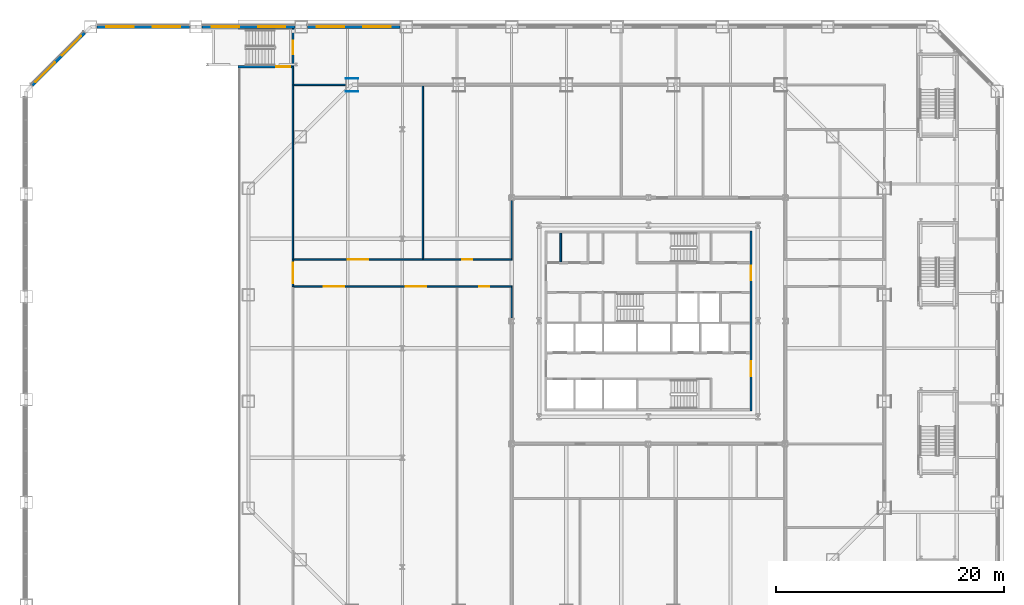
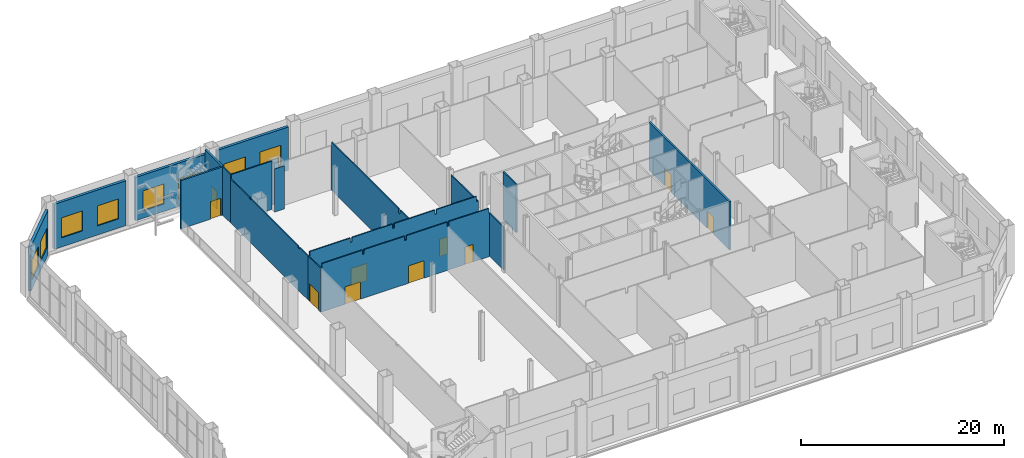
# One storey, part 18 of 31: 19 walls, 10 doors, 8 windows, 18 openings.
"""IFC4 building model written with IfcOpenShell, lengths in metres."""

from ifc_helpers import new_model, si_unit, direction, frame, frame_2d, origin, place, context, subcontext, project, spatial, polyline, rectangle, outline, extrude, material, layer, layer_set, type_object, element, fill, save


model = new_model("IFC4")

# Units and contexts
model_context = context("Model", 3, precision=1e-05, world=origin(), true_north=direction((0.0, 1.0)))
body_context = subcontext(model_context, "Body", "Model", "MODEL_VIEW")
ifc_project = project(units=[si_unit("LENGTHUNIT", "METRE"), si_unit("AREAUNIT", "SQUARE_METRE"), si_unit("VOLUMEUNIT", "CUBIC_METRE"), si_unit("PLANEANGLEUNIT", "RADIAN"), si_unit("MASSUNIT", "GRAM", prefix="KILO")], contexts=[model_context])

# Site, building, storey
site_placement = place(None, origin())
site = spatial("IfcSite", under=ifc_project, at=site_placement, CompositionType="ELEMENT")
building_placement = place(site_placement, origin())
building = spatial("IfcBuilding", under=site, at=building_placement, Name="Cairn Pilgrim Tower", CompositionType="ELEMENT")
storey_placement = place(building_placement, frame((0.0, 0.0, 15.0)))
storey = spatial("IfcBuildingStorey", under=building, at=storey_placement, Name="L02", CompositionType="ELEMENT", Elevation=15.0)

# Wall, openings, doors
ifc_material_1 = material(Name="Concrete C32/40", Category="concrete")
ifc_layer_1 = layer(ifc_material_1, 0.199951171875)
ifc_layer_set_1 = layer_set([ifc_layer_1], Name="CORE OUTER WALL 200 EI 120")
wall_type_1 = type_object("IfcWallType", Name="CORE OUTER WALL 200 EI 120", PredefinedType="SOLIDWALL", material=ifc_layer_set_1)
wall_1_placement = place(storey_placement, frame((16.199951171875, -5.5, 0.0), z_axis=(0.0, 0.0, 1.0), x_axis=(0.0, 1.0, 0.0)))
wall_1 = element("IfcWall", 1, at=wall_1_placement, inside=storey, type_object=wall_type_1, Name="CW:L02:V34", PredefinedType="SOLIDWALL", context=body_context, shape_type="SweptSolid", body=[
    extrude(rectangle(XDim=15.800048828125, YDim=0.199951171875, at=frame_2d((7.89990234375, 0.0))), origin(), (0.0, 0.0, 1.0), 5.800048828125),
])
opening_1_placement = place(wall_1_placement, frame((3.050048828125, 0.0, 0.0)))
opening_1 = element("IfcOpeningElement", 2, at=opening_1_placement, cuts=wall_1, Name="Opening CD-E1", PredefinedType="OPENING", context=body_context, shape_type="SweptSolid", body=[
    extrude(rectangle(XDim=1.300048828125, YDim=2.10009765625, at=frame_2d((0.64990234375, 1.050048828125))), frame((0.0, 0.10986328125, 0.0), z_axis=(0.0, -1.0, 0.0), x_axis=(1.0, 0.0, 0.0)), (0.0, 0.0, 1.0), 0.219970703125),
])
opening_2_placement = place(wall_1_placement, frame((11.449951171875, 0.0, 0.0)))
opening_2 = element("IfcOpeningElement", 3, at=opening_2_placement, cuts=wall_1, Name="Opening CD-E2", PredefinedType="OPENING", context=body_context, shape_type="SweptSolid", body=[
    extrude(rectangle(XDim=1.300048828125, YDim=2.10009765625, at=frame_2d((0.64990234375, 1.050048828125))), frame((0.0, 0.10986328125, 0.0), z_axis=(0.0, -1.0, 0.0), x_axis=(1.0, 0.0, 0.0)), (0.0, 0.0, 1.0), 0.219970703125),
])
ifc_material_2 = material(Name="Painted steel", Category="steel")
door_type_1 = type_object("IfcDoorType", Name="CORE LOBBY DOOR 1300x2100", OperationType="DOUBLE_DOOR_SINGLE_SWING", PredefinedType="DOOR", material=ifc_material_2)
door_1_placement = place(opening_1_placement, origin())
door_1 = element("IfcDoor", 4, at=door_1_placement, inside=storey, type_object=door_type_1, Name="CD-E1", OperationType="DOUBLE_DOOR_SINGLE_SWING", OverallHeight=2.10009765625, OverallWidth=1.300048828125, PredefinedType="DOOR", context=body_context, shape_type="SweptSolid", body=[
    extrude(rectangle(XDim=1.300048828125, YDim=2.10009765625, at=frame_2d((0.64990234375, 1.050048828125))), frame((0.0, 0.02490234375, 0.0), z_axis=(0.0, -1.0, 0.0), x_axis=(1.0, 0.0, 0.0)), (0.0, 0.0, 1.0), 0.050048828125),
])
fill(opening_1, door_1)
door_2_placement = place(opening_2_placement, origin())
door_2 = element("IfcDoor", 5, at=door_2_placement, inside=storey, type_object=door_type_1, Name="CD-E2", OperationType="DOUBLE_DOOR_SINGLE_SWING", OverallHeight=2.10009765625, OverallWidth=1.300048828125, PredefinedType="DOOR", context=body_context, shape_type="SweptSolid", body=[
    extrude(rectangle(XDim=1.300048828125, YDim=2.10009765625, at=frame_2d((0.64990234375, 1.050048828125))), frame((0.0, 0.02490234375, 0.0), z_axis=(0.0, -1.0, 0.0), x_axis=(1.0, 0.0, 0.0)), (0.0, 0.0, 1.0), 0.050048828125),
])
fill(opening_2, door_2)

# Walls
ifc_layer_2 = layer(ifc_material_1, 0.14990234375)
ifc_layer_set_2 = layer_set([ifc_layer_2], Name="CORE PARTITION 150 EI 60")
wall_type_2 = type_object("IfcWallType", Name="CORE PARTITION 150 EI 60", PredefinedType="PARTITIONING", material=ifc_layer_set_2)
wall_2_placement = place(storey_placement, frame((-0.5, 7.574951171875, 0.0), z_axis=(0.0, 0.0, 1.0), x_axis=(0.0, 1.0, 0.0)))
element("IfcWall", 6, at=wall_2_placement, inside=storey, type_object=wall_type_2, Name="CW:L02:V13", PredefinedType="PARTITIONING", context=body_context, shape_type="SweptSolid", body=[
    extrude(rectangle(XDim=2.525146484375, YDim=0.14990234375, at=frame_2d((1.2626953125, 0.0))), origin(), (0.0, 0.0, 1.0), 5.800048828125),
])
ifc_material_3 = material(Name="Gypsum partition")
ifc_layer_3 = layer(ifc_material_3, 0.125)
ifc_layer_set_3 = layer_set([ifc_layer_3], Name="PARTITION 125 DRYWALL EI 60")
wall_type_3 = type_object("IfcWallType", Name="PARTITION 125 DRYWALL EI 60", PredefinedType="PARTITIONING", material=ifc_layer_set_3)
wall_3_placement = place(storey_placement, frame((-4.800048828125, 2.636962890625, 0.0), z_axis=(0.0, 0.0, 1.0), x_axis=(0.0, 1.0, 0.0)))
element("IfcWall", 7, at=wall_3_placement, inside=storey, type_object=wall_type_3, Name="PARTITION W036", PredefinedType="PARTITIONING", context=body_context, shape_type="SweptSolid", body=[
    extrude(rectangle(XDim=2.700439453125, YDim=0.125, at=frame_2d((1.35009765625, 0.0))), origin(), (0.0, 0.0, 1.0), 5.179931640625),
])

# Wall, opening, door
wall_4_placement = place(storey_placement, frame((-24.0, 5.39990234375, 0.0), z_axis=(0.0, 0.0, 1.0), x_axis=(0.0, 1.0, 0.0)))
wall_4 = element("IfcWall", 8, at=wall_4_placement, inside=storey, type_object=wall_type_3, Name="PARTITION W042", PredefinedType="PARTITIONING", context=body_context, shape_type="SweptSolid", body=[
    extrude(rectangle(XDim=2.400146484375, YDim=0.125, at=frame_2d((1.2001953125, 0.0))), origin(), (0.0, 0.0, 1.0), 5.280029296875),
])
opening_3_placement = place(wall_4_placement, frame((0.300048828125, 0.0, 0.0)))
opening_3 = element("IfcOpeningElement", 9, at=opening_3_placement, cuts=wall_4, Name="Opening 0229", PredefinedType="OPENING", context=body_context, shape_type="SweptSolid", body=[
    extrude(rectangle(XDim=1.800048828125, YDim=2.10009765625, at=frame_2d((0.89990234375, 1.050048828125))), frame((0.0, 0.072509765625, 0.0), z_axis=(0.0, -1.0, 0.0), x_axis=(1.0, 0.0, 0.0)), (0.0, 0.0, 1.0), 0.14501953125),
])
ifc_material_4 = material(Name="Timber door leaf", Category="wood")
door_type_2 = type_object("IfcDoorType", Name="DOOR PAIR 1800x2100 FD60S", OperationType="NOTDEFINED", PredefinedType="DOOR", material=ifc_material_4)
door_3_placement = place(opening_3_placement, frame((1.800048828125, 0.0, 0.0), z_axis=(0.0, 0.0, 1.0), x_axis=(-1.0, 0.0, 0.0)))
door_3 = element("IfcDoor", 10, at=door_3_placement, inside=storey, type_object=door_type_2, Name="DOOR 0229", OperationType="DOUBLE_DOOR_SINGLE_SWING", OverallHeight=2.10009765625, OverallWidth=1.800048828125, PredefinedType="DOOR", context=body_context, shape_type="SweptSolid", body=[
    extrude(rectangle(XDim=1.800048828125, YDim=2.10009765625, at=frame_2d((0.89990234375, 1.050048828125))), frame((0.0, 0.02490234375, 0.0), z_axis=(0.0, -1.0, 0.0), x_axis=(1.0, 0.0, 0.0)), (0.0, 0.0, 1.0), 0.050048828125),
])
fill(opening_3, door_3)

# Wall, openings, doors
wall_5_placement = place(storey_placement, frame((-23.9375, 5.39990234375, 0.0), z_axis=(0.0, 0.0, 1.0), x_axis=(1.0, 0.0, 0.0)))
wall_5 = element("IfcWall", 11, at=wall_5_placement, inside=storey, type_object=wall_type_3, Name="PARTITION W043", PredefinedType="PARTITIONING", context=body_context, shape_type="SweptSolid", body=[
    extrude(outline(polyline([(0.0, 0.0), (19.199951171875, 0.0), (19.199951171875, 5.179931640625), (18.987548828125, 5.179931640625), (18.985595703125, 5.800048828125), (14.4375, 5.800048828125), (14.435546875, 5.280029296875), (14.237548828125, 5.280029296875), (14.235595703125, 5.800048828125), (9.637451171875, 5.800048828125), (9.635498046875, 5.280029296875), (9.4375, 5.280029296875), (9.435546875, 5.800048828125), (4.83740234375, 5.800048828125), (4.83544921875, 5.280029296875), (4.637451171875, 5.280029296875), (4.635498046875, 5.800048828125), (0.03759765625, 5.800048828125), (0.035400390625, 5.280029296875), (0.0, 5.280029296875), (0.0, 0.0)])), frame((0.0, 0.0625, 0.0), z_axis=(0.0, -1.0, 0.0), x_axis=(1.0, 0.0, 0.0)), (0.0, 0.0, 1.0), 0.125),
])
opening_4_placement = place(wall_5_placement, frame((2.637451171875, 0.0, 0.0)))
opening_4 = element("IfcOpeningElement", 12, at=opening_4_placement, cuts=wall_5, Name="Opening 0203", PredefinedType="OPENING", context=body_context, shape_type="SweptSolid", body=[
    extrude(rectangle(XDim=1.800048828125, YDim=2.10009765625, at=frame_2d((0.89990234375, 1.050048828125))), frame((0.0, 0.072509765625, 0.0), z_axis=(0.0, -1.0, 0.0), x_axis=(1.0, 0.0, 0.0)), (0.0, 0.0, 1.0), 0.14501953125),
])
opening_5_placement = place(wall_5_placement, frame((9.83740234375, 0.0, 0.0)))
opening_5 = element("IfcOpeningElement", 13, at=opening_5_placement, cuts=wall_5, Name="Opening 0204", PredefinedType="OPENING", context=body_context, shape_type="SweptSolid", body=[
    extrude(rectangle(XDim=1.800048828125, YDim=2.10009765625, at=frame_2d((0.89990234375, 1.050048828125))), frame((0.0, 0.072509765625, 0.0), z_axis=(0.0, -1.0, 0.0), x_axis=(1.0, 0.0, 0.0)), (0.0, 0.0, 1.0), 0.14501953125),
])
opening_6_placement = place(wall_5_placement, frame((16.28759765625, 0.0, 0.0)))
opening_6 = element("IfcOpeningElement", 14, at=opening_6_placement, cuts=wall_5, Name="Opening 0205", PredefinedType="OPENING", context=body_context, shape_type="SweptSolid", body=[
    extrude(rectangle(XDim=0.89990234375, YDim=2.10009765625, at=frame_2d((0.449951171875, 1.050048828125))), frame((0.0, 0.072509765625, 0.0), z_axis=(0.0, -1.0, 0.0), x_axis=(1.0, 0.0, 0.0)), (0.0, 0.0, 1.0), 0.14501953125),
])
door_4_placement = place(opening_4_placement, origin())
door_4 = element("IfcDoor", 15, at=door_4_placement, inside=storey, type_object=door_type_2, Name="DOOR 0203", OperationType="DOUBLE_DOOR_SINGLE_SWING", OverallHeight=2.10009765625, OverallWidth=1.800048828125, PredefinedType="DOOR", context=body_context, shape_type="SweptSolid", body=[
    extrude(rectangle(XDim=1.800048828125, YDim=2.10009765625, at=frame_2d((0.89990234375, 1.050048828125))), frame((0.0, 0.02490234375, 0.0), z_axis=(0.0, -1.0, 0.0), x_axis=(1.0, 0.0, 0.0)), (0.0, 0.0, 1.0), 0.050048828125),
])
fill(opening_4, door_4)
door_5_placement = place(opening_5_placement, origin())
door_5 = element("IfcDoor", 16, at=door_5_placement, inside=storey, type_object=door_type_2, Name="DOOR 0204", OperationType="DOUBLE_DOOR_SINGLE_SWING", OverallHeight=2.10009765625, OverallWidth=1.800048828125, PredefinedType="DOOR", context=body_context, shape_type="SweptSolid", body=[
    extrude(rectangle(XDim=1.800048828125, YDim=2.10009765625, at=frame_2d((0.89990234375, 1.050048828125))), frame((0.0, 0.02490234375, 0.0), z_axis=(0.0, -1.0, 0.0), x_axis=(1.0, 0.0, 0.0)), (0.0, 0.0, 1.0), 0.050048828125),
])
fill(opening_5, door_5)
door_type_3 = type_object("IfcDoorType", Name="SERVICE DOOR 900x2100 FD30S", OperationType="NOTDEFINED", PredefinedType="DOOR", material=ifc_material_4)
door_6_placement = place(opening_6_placement, origin())
door_6 = element("IfcDoor", 17, at=door_6_placement, inside=storey, type_object=door_type_3, Name="DOOR 0205", OperationType="SINGLE_SWING_LEFT", OverallHeight=2.10009765625, OverallWidth=0.89990234375, PredefinedType="DOOR", context=body_context, shape_type="SweptSolid", body=[
    extrude(rectangle(XDim=0.89990234375, YDim=2.10009765625, at=frame_2d((0.449951171875, 1.050048828125))), frame((0.0, 0.02490234375, 0.0), z_axis=(0.0, -1.0, 0.0), x_axis=(1.0, 0.0, 0.0)), (0.0, 0.0, 1.0), 0.050048828125),
])
fill(opening_6, door_6)

# Wall
wall_6_placement = place(storey_placement, frame((-24.0, 7.800048828125, 0.0), z_axis=(0.0, 0.0, 1.0), x_axis=(0.0, 1.0, 0.0)))
element("IfcWall", 18, at=wall_6_placement, inside=storey, type_object=wall_type_3, Name="PARTITION W045", PredefinedType="PARTITIONING", context=body_context, shape_type="SweptSolid", body=[
    extrude(outline(polyline([(0.0, 0.0), (15.300048828125, 0.0), (15.300048828125, 5.280029296875), (11.550048828125, 5.280029296875), (11.548095703125, 5.179931640625), (11.25, 5.179931640625), (11.248046875, 5.280029296875), (1.949951171875, 5.280029296875), (1.947998046875, 5.080078125), (1.64990234375, 5.080078125), (1.64794921875, 5.280029296875), (0.0, 5.280029296875), (0.0, 0.0)])), frame((0.0, 0.0625, 0.0), z_axis=(0.0, -1.0, 0.0), x_axis=(1.0, 0.0, 0.0)), (0.0, 0.0, 1.0), 0.125),
])

# Wall, openings, doors
wall_7_placement = place(storey_placement, frame((-23.9375, 7.800048828125, 0.0), z_axis=(0.0, 0.0, 1.0), x_axis=(1.0, 0.0, 0.0)))
wall_7 = element("IfcWall", 19, at=wall_7_placement, inside=storey, type_object=wall_type_3, Name="PARTITION W046", PredefinedType="PARTITIONING", context=body_context, shape_type="SweptSolid", body=[
    extrude(outline(polyline([(0.0, 0.0), (19.199951171875, 0.0), (19.199951171875, 5.179931640625), (18.987548828125, 5.179931640625), (18.985595703125, 5.800048828125), (14.4375, 5.800048828125), (14.435546875, 5.280029296875), (14.237548828125, 5.280029296875), (14.235595703125, 5.800048828125), (9.637451171875, 5.800048828125), (9.635498046875, 5.280029296875), (9.4375, 5.280029296875), (9.435546875, 5.800048828125), (4.83740234375, 5.800048828125), (4.83544921875, 5.280029296875), (4.637451171875, 5.280029296875), (4.635498046875, 5.800048828125), (0.03759765625, 5.800048828125), (0.035400390625, 5.280029296875), (0.0, 5.280029296875), (0.0, 0.0)])), frame((0.0, 0.0625, 0.0), z_axis=(0.0, -1.0, 0.0), x_axis=(1.0, 0.0, 0.0)), (0.0, 0.0, 1.0), 0.125),
])
opening_7_placement = place(wall_7_placement, frame((4.737548828125, 0.0, 0.0)))
opening_7 = element("IfcOpeningElement", 20, at=opening_7_placement, cuts=wall_7, Name="Opening 0201", PredefinedType="OPENING", context=body_context, shape_type="SweptSolid", body=[
    extrude(rectangle(XDim=1.800048828125, YDim=2.10009765625, at=frame_2d((0.89990234375, 1.050048828125))), frame((0.0, 0.072509765625, 0.0), z_axis=(0.0, -1.0, 0.0), x_axis=(1.0, 0.0, 0.0)), (0.0, 0.0, 1.0), 0.14501953125),
])
opening_8_placement = place(wall_7_placement, frame((14.78759765625, 0.0, 0.0)))
opening_8 = element("IfcOpeningElement", 21, at=opening_8_placement, cuts=wall_7, Name="Opening 0202", PredefinedType="OPENING", context=body_context, shape_type="SweptSolid", body=[
    extrude(rectangle(XDim=0.89990234375, YDim=2.10009765625, at=frame_2d((0.449951171875, 1.050048828125))), frame((0.0, 0.072509765625, 0.0), z_axis=(0.0, -1.0, 0.0), x_axis=(1.0, 0.0, 0.0)), (0.0, 0.0, 1.0), 0.14501953125),
])
door_7_placement = place(opening_7_placement, frame((1.800048828125, 0.0, 0.0), z_axis=(0.0, 0.0, 1.0), x_axis=(-1.0, 0.0, 0.0)))
door_7 = element("IfcDoor", 22, at=door_7_placement, inside=storey, type_object=door_type_2, Name="DOOR 0201", OperationType="DOUBLE_DOOR_SINGLE_SWING", OverallHeight=2.10009765625, OverallWidth=1.800048828125, PredefinedType="DOOR", context=body_context, shape_type="SweptSolid", body=[
    extrude(rectangle(XDim=1.800048828125, YDim=2.10009765625, at=frame_2d((0.89990234375, 1.050048828125))), frame((0.0, 0.02490234375, 0.0), z_axis=(0.0, -1.0, 0.0), x_axis=(1.0, 0.0, 0.0)), (0.0, 0.0, 1.0), 0.050048828125),
])
fill(opening_7, door_7)
door_type_4 = type_object("IfcDoorType", Name="ROOM DOOR 900x2100 FD30S", OperationType="NOTDEFINED", PredefinedType="DOOR", material=ifc_material_4)
door_8_placement = place(opening_8_placement, frame((0.89990234375, 0.0, 0.0), z_axis=(0.0, 0.0, 1.0), x_axis=(-1.0, 0.0, 0.0)))
door_8 = element("IfcDoor", 23, at=door_8_placement, inside=storey, type_object=door_type_4, Name="DOOR 0202", OperationType="SINGLE_SWING_LEFT", OverallHeight=2.10009765625, OverallWidth=0.89990234375, PredefinedType="DOOR", context=body_context, shape_type="SweptSolid", body=[
    extrude(rectangle(XDim=0.89990234375, YDim=2.10009765625, at=frame_2d((0.449951171875, 1.050048828125))), frame((0.0, 0.02490234375, 0.0), z_axis=(0.0, -1.0, 0.0), x_axis=(1.0, 0.0, 0.0)), (0.0, 0.0, 1.0), 0.050048828125),
])
fill(opening_8, door_8)

# Walls
wall_8_placement = place(storey_placement, frame((-12.60009765625, 7.862548828125, 0.0), z_axis=(0.0, 0.0, 1.0), x_axis=(0.0, 1.0, 0.0)))
element("IfcWall", 24, at=wall_8_placement, inside=storey, type_object=wall_type_3, Name="PARTITION W048", PredefinedType="PARTITIONING", context=body_context, shape_type="SweptSolid", body=[
    extrude(outline(polyline([(0.0, 0.0), (15.175048828125, 0.0), (15.175048828125, 5.280029296875), (15.08740234375, 5.280029296875), (15.08544921875, 5.800048828125), (1.887451171875, 5.800048828125), (1.885498046875, 5.280029296875), (1.58740234375, 5.280029296875), (1.58544921875, 5.800048828125), (0.0, 5.800048828125), (0.0, 0.0)])), frame((0.0, 0.0625, 0.0), z_axis=(0.0, -1.0, 0.0), x_axis=(1.0, 0.0, 0.0)), (0.0, 0.0, 1.0), 0.125),
])
wall_9_placement = place(storey_placement, frame((-4.800048828125, 7.862548828125, 0.0), z_axis=(0.0, 0.0, 1.0), x_axis=(0.0, 1.0, 0.0)))
element("IfcWall", 25, at=wall_9_placement, inside=storey, type_object=wall_type_3, Name="PARTITION W049", PredefinedType="PARTITIONING", context=body_context, shape_type="SweptSolid", body=[
    extrude(rectangle(XDim=5.100341796875, YDim=0.125, at=frame_2d((2.55029296875, 0.0))), origin(), (0.0, 0.0, 1.0), 5.179931640625),
])
wall_10_placement = place(storey_placement, frame((-24.0, 23.10009765625, 0.0), z_axis=(0.0, 0.0, 1.0), x_axis=(0.0, 1.0, 0.0)))
element("IfcWall", 26, at=wall_10_placement, inside=storey, type_object=wall_type_3, Name="PARTITION W065", PredefinedType="PARTITIONING", context=body_context, shape_type="SweptSolid", body=[
    extrude(rectangle(XDim=1.599853515625, YDim=0.125, at=frame_2d((0.7998046875, 0.0))), origin(), (0.0, 0.0, 1.0), 5.800048828125),
])
wall_11_placement = place(storey_placement, frame((-23.9375, 23.10009765625, 0.0), z_axis=(0.0, 0.0, 1.0), x_axis=(1.0, 0.0, 0.0)))
element("IfcWall", 27, at=wall_11_placement, inside=storey, type_object=wall_type_3, Name="PARTITION W066", PredefinedType="PARTITIONING", context=body_context, shape_type="SweptSolid", body=[
    extrude(rectangle(XDim=4.560302734375, YDim=0.125, at=frame_2d((2.2802734375, 0.0))), origin(), (0.0, 0.0, 1.0), 5.800048828125),
])
ifc_layer_4 = layer(ifc_material_3, 0.050048828125)
ifc_layer_set_4 = layer_set([ifc_layer_4], Name="PARTITION 50 DRYWALL EI 60")
wall_type_4 = type_object("IfcWallType", Name="PARTITION 50 DRYWALL EI 60", PredefinedType="PARTITIONING", material=ifc_layer_set_4)
wall_12_placement = place(storey_placement, frame((-19.377197265625, 22.52490234375, 0.0), z_axis=(0.0, 0.0, 1.0), x_axis=(1.0, 0.0, 0.0)))
element("IfcWall", 28, at=wall_12_placement, inside=storey, type_object=wall_type_4, Name="COLUMN CASING WC36", PredefinedType="PARTITIONING", context=body_context, shape_type="SweptSolid", body=[
    extrude(rectangle(XDim=1.10009765625, YDim=0.050048828125, at=frame_2d((0.550048828125, 0.0))), origin(), (0.0, 0.0, 1.0), 5.179931640625),
])
wall_13_placement = place(storey_placement, frame((-19.377197265625, 23.675048828125, 0.0), z_axis=(0.0, 0.0, 1.0), x_axis=(1.0, 0.0, 0.0)))
element("IfcWall", 29, at=wall_13_placement, inside=storey, type_object=wall_type_4, Name="COLUMN CASING WC37", PredefinedType="PARTITIONING", context=body_context, shape_type="SweptSolid", body=[
    extrude(rectangle(XDim=1.10009765625, YDim=0.050048828125, at=frame_2d((0.550048828125, 0.0))), origin(), (0.0, 0.0, 1.0), 5.419921875),
])

# Wall, opening, door
ifc_material_5 = material(Name="Concrete C35/45", Category="concrete")
ifc_layer_5 = layer(ifc_material_5, 0.199951171875)
ifc_layer_set_5 = layer_set([ifc_layer_5], Name="PODIUM STAIR WALL 200 EI 120")
wall_type_5 = type_object("IfcWallType", Name="PODIUM STAIR WALL 200 EI 120", PredefinedType="SOLIDWALL", material=ifc_layer_set_5)
wall_14_placement = place(storey_placement, frame((-28.800048828125, 24.699951171875, 0.0), z_axis=(0.0, 0.0, 1.0), x_axis=(1.0, 0.0, 0.0)))
wall_14 = element("IfcWall", 30, at=wall_14_placement, inside=storey, type_object=wall_type_5, Name="STAIR SHAFT WALL W072", PredefinedType="SOLIDWALL", context=body_context, shape_type="SweptSolid", body=[
    extrude(rectangle(XDim=4.737548828125, YDim=0.199951171875, at=frame_2d((2.36865234375, 0.0))), origin(), (0.0, 0.0, 1.0), 5.800048828125),
])
opening_9_placement = place(wall_14_placement, frame((3.35009765625, 0.0, 0.0)))
opening_9 = element("IfcOpeningElement", 31, at=opening_9_placement, cuts=wall_14, Name="Opening 0221", PredefinedType="OPENING", context=body_context, shape_type="SweptSolid", body=[
    extrude(rectangle(XDim=1.199951171875, YDim=2.10009765625, at=frame_2d((0.60009765625, 1.050048828125))), frame((0.0, 0.10986328125, 0.0), z_axis=(0.0, -1.0, 0.0), x_axis=(1.0, 0.0, 0.0)), (0.0, 0.0, 1.0), 0.219970703125),
])
ifc_material_6 = material(Name="Steel-faced fire door leaf", Category="steel")
door_type_5 = type_object("IfcDoorType", Name="FIRE DOOR 1200x2100 FD60S", OperationType="NOTDEFINED", PredefinedType="DOOR", material=ifc_material_6)
door_9_placement = place(opening_9_placement, origin())
door_9 = element("IfcDoor", 32, at=door_9_placement, inside=storey, type_object=door_type_5, Name="DOOR 0221", OperationType="SINGLE_SWING_RIGHT", OverallHeight=2.10009765625, OverallWidth=1.199951171875, PredefinedType="DOOR", context=body_context, shape_type="SweptSolid", body=[
    extrude(rectangle(XDim=1.199951171875, YDim=2.10009765625, at=frame_2d((0.60009765625, 1.050048828125))), frame((0.0, 0.02490234375, 0.0), z_axis=(0.0, -1.0, 0.0), x_axis=(1.0, 0.0, 0.0)), (0.0, 0.0, 1.0), 0.050048828125),
])
fill(opening_9, door_9)

wall_15_placement = place(storey_placement, frame((-24.0, 24.699951171875, 0.0), z_axis=(0.0, 0.0, 1.0), x_axis=(0.0, 1.0, 0.0)))
wall_15 = element("IfcWall", 33, at=wall_15_placement, inside=storey, type_object=wall_type_5, Name="STAIR SHAFT WALL W073", PredefinedType="SOLIDWALL", context=body_context, shape_type="SweptSolid", body=[
    extrude(rectangle(XDim=3.35009765625, YDim=0.199951171875, at=frame_2d((1.675048828125, 0.0))), origin(), (0.0, 0.0, 1.0), 5.800048828125),
])
opening_10_placement = place(wall_15_placement, frame((1.10009765625, 0.0, 0.0)))
opening_10 = element("IfcOpeningElement", 34, at=opening_10_placement, cuts=wall_15, Name="Opening 0222", PredefinedType="OPENING", context=body_context, shape_type="SweptSolid", body=[
    extrude(rectangle(XDim=1.199951171875, YDim=2.10009765625, at=frame_2d((0.60009765625, 1.050048828125))), frame((0.0, 0.10986328125, 0.0), z_axis=(0.0, -1.0, 0.0), x_axis=(1.0, 0.0, 0.0)), (0.0, 0.0, 1.0), 0.219970703125),
])
door_10_placement = place(opening_10_placement, origin())
door_10 = element("IfcDoor", 35, at=door_10_placement, inside=storey, type_object=door_type_5, Name="DOOR 0222", OperationType="SINGLE_SWING_LEFT", OverallHeight=2.10009765625, OverallWidth=1.199951171875, PredefinedType="DOOR", context=body_context, shape_type="SweptSolid", body=[
    extrude(rectangle(XDim=1.199951171875, YDim=2.10009765625, at=frame_2d((0.60009765625, 1.050048828125))), frame((0.0, 0.02490234375, 0.0), z_axis=(0.0, -1.0, 0.0), x_axis=(1.0, 0.0, 0.0)), (0.0, 0.0, 1.0), 0.050048828125),
])
fill(opening_10, door_10)

# Wall, openings, windows
ifc_material_7 = material(Name="Concrete C35/45 backup wall with bronze aluminium cladding", Category="concrete")
ifc_layer_6 = layer(ifc_material_7, 0.300048828125)
ifc_layer_set_6 = layer_set([ifc_layer_6], Name="PODIUM WALL 300 BRONZE-CLAD")
wall_type_6 = type_object("IfcWallType", Name="PODIUM WALL 300 BRONZE-CLAD", PredefinedType="SOLIDWALL", material=ifc_layer_set_6)
wall_16_placement = place(storey_placement, frame((-14.587890625, 28.199951171875, 0.0), z_axis=(0.0, 0.0, 1.0), x_axis=(-1.0, 0.0, 0.0)))
wall_16 = element("IfcWall", 36, at=wall_16_placement, inside=storey, type_object=wall_type_6, Name="PODIUM EXTERNAL WALL N6-N7", PredefinedType="SOLIDWALL", context=body_context, shape_type="SweptSolid", body=[
    extrude(rectangle(XDim=8.1376953125, YDim=0.300048828125, at=frame_2d((4.06884765625, 0.0))), origin(), (0.0, 0.0, 1.0), 5.199951171875),
])
opening_11_placement = place(wall_16_placement, frame((0.83447265625, 0.0, 0.89990234375)))
opening_11 = element("IfcOpeningElement", 37, at=opening_11_placement, cuts=wall_16, Name="Opening PW24", PredefinedType="OPENING", context=body_context, shape_type="SweptSolid", body=[
    extrude(rectangle(XDim=2.39990234375, YDim=2.39990234375, at=frame_2d((1.199951171875, 1.199951171875))), frame((0.0, 0.16015625, 0.0), z_axis=(0.0, -1.0, 0.0), x_axis=(1.0, 0.0, 0.0)), (0.0, 0.0, 1.0), 0.320068359375),
])
opening_12_placement = place(wall_16_placement, frame((4.9033203125, 0.0, 0.89990234375)))
opening_12 = element("IfcOpeningElement", 38, at=opening_12_placement, cuts=wall_16, Name="Opening PW24", PredefinedType="OPENING", context=body_context, shape_type="SweptSolid", body=[
    extrude(rectangle(XDim=2.39990234375, YDim=2.39990234375, at=frame_2d((1.199951171875, 1.199951171875))), frame((0.0, 0.16015625, 0.0), z_axis=(0.0, -1.0, 0.0), x_axis=(1.0, 0.0, 0.0)), (0.0, 0.0, 1.0), 0.320068359375),
])
ifc_material_8 = material(Name="Bronze anodised aluminium frame with tinted low-E glass", Category="aluminium")
window_type = type_object("IfcWindowType", Name="PODIUM FIXED WINDOW 2400x2400", PartitioningType="SINGLE_PANEL", PredefinedType="WINDOW", material=ifc_material_8)
window_1_placement = place(opening_11_placement, origin())
window_1 = element("IfcWindow", 39, at=window_1_placement, inside=storey, type_object=window_type, Name="PODIUM WINDOW", OverallHeight=2.39990234375, OverallWidth=2.39990234375, PartitioningType="SINGLE_PANEL", PredefinedType="WINDOW", context=body_context, shape_type="SweptSolid", body=[
    extrude(rectangle(XDim=2.39990234375, YDim=2.39990234375, at=frame_2d((1.199951171875, 1.199951171875))), frame((0.0, 0.030029296875, 0.0), z_axis=(0.0, -1.0, 0.0), x_axis=(1.0, 0.0, 0.0)), (0.0, 0.0, 1.0), 0.06005859375),
])
fill(opening_11, window_1)
window_2_placement = place(opening_12_placement, origin())
window_2 = element("IfcWindow", 40, at=window_2_placement, inside=storey, type_object=window_type, Name="PODIUM WINDOW", OverallHeight=2.39990234375, OverallWidth=2.39990234375, PartitioningType="SINGLE_PANEL", PredefinedType="WINDOW", context=body_context, shape_type="SweptSolid", body=[
    extrude(rectangle(XDim=2.39990234375, YDim=2.39990234375, at=frame_2d((1.199951171875, 1.199951171875))), frame((0.0, 0.030029296875, 0.0), z_axis=(0.0, -1.0, 0.0), x_axis=(1.0, 0.0, 0.0)), (0.0, 0.0, 1.0), 0.06005859375),
])
fill(opening_12, window_2)

wall_17_placement = place(storey_placement, frame((-23.82568359375, 28.199951171875, 0.0), z_axis=(0.0, 0.0, 1.0), x_axis=(-1.0, 0.0, 0.0)))
wall_17 = element("IfcWall", 41, at=wall_17_placement, inside=storey, type_object=wall_type_6, Name="PODIUM EXTERNAL WALL N7-N8", PredefinedType="SOLIDWALL", context=body_context, shape_type="SweptSolid", body=[
    extrude(rectangle(XDim=8.137939453125, YDim=0.300048828125, at=frame_2d((4.06884765625, 0.0))), origin(), (0.0, 0.0, 1.0), 5.199951171875),
])
opening_13_placement = place(wall_17_placement, frame((0.83447265625, 0.0, 0.89990234375)))
opening_13 = element("IfcOpeningElement", 42, at=opening_13_placement, cuts=wall_17, Name="Opening PW24", PredefinedType="OPENING", context=body_context, shape_type="SweptSolid", body=[
    extrude(rectangle(XDim=2.39990234375, YDim=2.39990234375, at=frame_2d((1.199951171875, 1.199951171875))), frame((0.0, 0.16015625, 0.0), z_axis=(0.0, -1.0, 0.0), x_axis=(1.0, 0.0, 0.0)), (0.0, 0.0, 1.0), 0.320068359375),
])
opening_14_placement = place(wall_17_placement, frame((4.9033203125, 0.0, 0.89990234375)))
opening_14 = element("IfcOpeningElement", 43, at=opening_14_placement, cuts=wall_17, Name="Opening PW24", PredefinedType="OPENING", context=body_context, shape_type="SweptSolid", body=[
    extrude(rectangle(XDim=2.39990234375, YDim=2.39990234375, at=frame_2d((1.199951171875, 1.199951171875))), frame((0.0, 0.16015625, 0.0), z_axis=(0.0, -1.0, 0.0), x_axis=(1.0, 0.0, 0.0)), (0.0, 0.0, 1.0), 0.320068359375),
])
window_3_placement = place(opening_13_placement, origin())
window_3 = element("IfcWindow", 44, at=window_3_placement, inside=storey, type_object=window_type, Name="PODIUM WINDOW", OverallHeight=2.39990234375, OverallWidth=2.39990234375, PartitioningType="SINGLE_PANEL", PredefinedType="WINDOW", context=body_context, shape_type="SweptSolid", body=[
    extrude(rectangle(XDim=2.39990234375, YDim=2.39990234375, at=frame_2d((1.199951171875, 1.199951171875))), frame((0.0, 0.030029296875, 0.0), z_axis=(0.0, -1.0, 0.0), x_axis=(1.0, 0.0, 0.0)), (0.0, 0.0, 1.0), 0.06005859375),
])
fill(opening_13, window_3)
window_4_placement = place(opening_14_placement, origin())
window_4 = element("IfcWindow", 45, at=window_4_placement, inside=storey, type_object=window_type, Name="PODIUM WINDOW", OverallHeight=2.39990234375, OverallWidth=2.39990234375, PartitioningType="SINGLE_PANEL", PredefinedType="WINDOW", context=body_context, shape_type="SweptSolid", body=[
    extrude(rectangle(XDim=2.39990234375, YDim=2.39990234375, at=frame_2d((1.199951171875, 1.199951171875))), frame((0.0, 0.030029296875, 0.0), z_axis=(0.0, -1.0, 0.0), x_axis=(1.0, 0.0, 0.0)), (0.0, 0.0, 1.0), 0.06005859375),
])
fill(opening_14, window_4)

wall_18_placement = place(storey_placement, frame((-33.063720703125, 28.199951171875, -0.199951171875), z_axis=(0.0, 0.0, 1.0), x_axis=(-1.0, 0.0, 0.0)))
wall_18 = element("IfcWall", 46, at=wall_18_placement, inside=storey, type_object=wall_type_6, Name="PODIUM EXTERNAL WALL N8-NW1", PredefinedType="SOLIDWALL", context=body_context, shape_type="SweptSolid", body=[
    extrude(rectangle(XDim=8.1376953125, YDim=0.300048828125, at=frame_2d((4.06884765625, 0.0))), origin(), (0.0, 0.0, 1.0), 5.39990234375),
])
opening_15_placement = place(wall_18_placement, frame((0.83447265625, 0.0, 1.10009765625)))
opening_15 = element("IfcOpeningElement", 47, at=opening_15_placement, cuts=wall_18, Name="Opening PW24", PredefinedType="OPENING", context=body_context, shape_type="SweptSolid", body=[
    extrude(rectangle(XDim=2.39990234375, YDim=2.39990234375, at=frame_2d((1.199951171875, 1.199951171875))), frame((0.0, 0.16015625, 0.0), z_axis=(0.0, -1.0, 0.0), x_axis=(1.0, 0.0, 0.0)), (0.0, 0.0, 1.0), 0.320068359375),
])
opening_16_placement = place(wall_18_placement, frame((4.9033203125, 0.0, 1.10009765625)))
opening_16 = element("IfcOpeningElement", 48, at=opening_16_placement, cuts=wall_18, Name="Opening PW24", PredefinedType="OPENING", context=body_context, shape_type="SweptSolid", body=[
    extrude(rectangle(XDim=2.39990234375, YDim=2.39990234375, at=frame_2d((1.199951171875, 1.199951171875))), frame((0.0, 0.16015625, 0.0), z_axis=(0.0, -1.0, 0.0), x_axis=(1.0, 0.0, 0.0)), (0.0, 0.0, 1.0), 0.320068359375),
])
window_5_placement = place(opening_15_placement, origin())
window_5 = element("IfcWindow", 49, at=window_5_placement, inside=storey, type_object=window_type, Name="PODIUM WINDOW", OverallHeight=2.39990234375, OverallWidth=2.39990234375, PartitioningType="SINGLE_PANEL", PredefinedType="WINDOW", context=body_context, shape_type="SweptSolid", body=[
    extrude(rectangle(XDim=2.39990234375, YDim=2.39990234375, at=frame_2d((1.199951171875, 1.199951171875))), frame((0.0, 0.030029296875, 0.0), z_axis=(0.0, -1.0, 0.0), x_axis=(1.0, 0.0, 0.0)), (0.0, 0.0, 1.0), 0.06005859375),
])
fill(opening_15, window_5)
window_6_placement = place(opening_16_placement, origin())
window_6 = element("IfcWindow", 50, at=window_6_placement, inside=storey, type_object=window_type, Name="PODIUM WINDOW", OverallHeight=2.39990234375, OverallWidth=2.39990234375, PartitioningType="SINGLE_PANEL", PredefinedType="WINDOW", context=body_context, shape_type="SweptSolid", body=[
    extrude(rectangle(XDim=2.39990234375, YDim=2.39990234375, at=frame_2d((1.199951171875, 1.199951171875))), frame((0.0, 0.030029296875, 0.0), z_axis=(0.0, -1.0, 0.0), x_axis=(1.0, 0.0, 0.0)), (0.0, 0.0, 1.0), 0.06005859375),
])
fill(opening_16, window_6)

wall_19_placement = place(storey_placement, frame((-42.274658203125, 27.6767578125, -0.199951171875), z_axis=(0.0, 0.0, 1.0), x_axis=(-0.707106781187, -0.707106781187, 0.0)))
wall_19 = element("IfcWall", 51, at=wall_19_placement, inside=storey, type_object=wall_type_6, Name="PODIUM EXTERNAL WALL NW1-W1", PredefinedType="SOLIDWALL", context=body_context, shape_type="SweptSolid", body=[
    extrude(rectangle(XDim=6.50830078125, YDim=0.300048828125, at=frame_2d((3.254150390625, 0.0))), origin(), (0.0, 0.0, 1.0), 5.39990234375),
])
opening_17_placement = place(wall_19_placement, frame((0.427001953125, 0.0, 1.10009765625)))
opening_17 = element("IfcOpeningElement", 52, at=opening_17_placement, cuts=wall_19, Name="Opening PW24", PredefinedType="OPENING", context=body_context, shape_type="SweptSolid", body=[
    extrude(rectangle(XDim=2.39990234375, YDim=2.39990234375, at=frame_2d((1.199951171875, 1.199951171875))), frame((0.0, 0.16015625, 0.0), z_axis=(0.0, -1.0, 0.0), x_axis=(1.0, 0.0, 0.0)), (0.0, 0.0, 1.0), 0.320068359375),
])
opening_18_placement = place(wall_19_placement, frame((3.68115234375, 0.0, 1.10009765625)))
opening_18 = element("IfcOpeningElement", 53, at=opening_18_placement, cuts=wall_19, Name="Opening PW24", PredefinedType="OPENING", context=body_context, shape_type="SweptSolid", body=[
    extrude(rectangle(XDim=2.39990234375, YDim=2.39990234375, at=frame_2d((1.199951171875, 1.199951171875))), frame((0.0, 0.16015625, 0.0), z_axis=(0.0, -1.0, 0.0), x_axis=(1.0, 0.0, 0.0)), (0.0, 0.0, 1.0), 0.320068359375),
])
window_7_placement = place(opening_17_placement, origin())
window_7 = element("IfcWindow", 54, at=window_7_placement, inside=storey, type_object=window_type, Name="PODIUM WINDOW", OverallHeight=2.39990234375, OverallWidth=2.39990234375, PartitioningType="SINGLE_PANEL", PredefinedType="WINDOW", context=body_context, shape_type="SweptSolid", body=[
    extrude(rectangle(XDim=2.39990234375, YDim=2.39990234375, at=frame_2d((1.199951171875, 1.199951171875))), frame((0.0, 0.030029296875, 0.0), z_axis=(0.0, -1.0, 0.0), x_axis=(1.0, 0.0, 0.0)), (0.0, 0.0, 1.0), 0.06005859375),
])
fill(opening_17, window_7)
window_8_placement = place(opening_18_placement, origin())
window_8 = element("IfcWindow", 55, at=window_8_placement, inside=storey, type_object=window_type, Name="PODIUM WINDOW", OverallHeight=2.39990234375, OverallWidth=2.39990234375, PartitioningType="SINGLE_PANEL", PredefinedType="WINDOW", context=body_context, shape_type="SweptSolid", body=[
    extrude(rectangle(XDim=2.39990234375, YDim=2.39990234375, at=frame_2d((1.199951171875, 1.199951171875))), frame((0.0, 0.030029296875, 0.0), z_axis=(0.0, -1.0, 0.0), x_axis=(1.0, 0.0, 0.0)), (0.0, 0.0, 1.0), 0.06005859375),
])
fill(opening_18, window_8)

save(model, "model.ifc")
